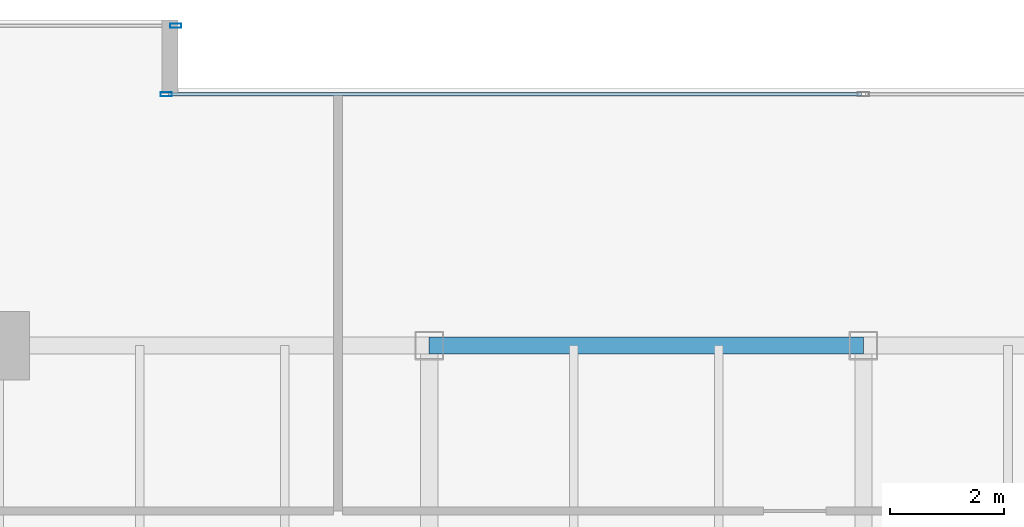
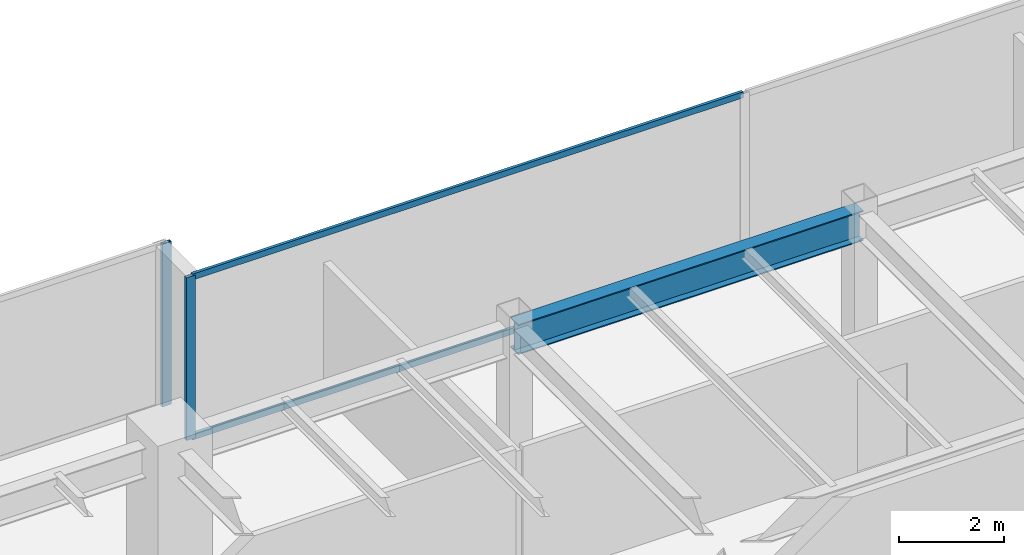
# One storey, part 16 of 31: 4 members, 1 beam, 2 elements without a shape of their own.
"""IFC4 building model written with IfcOpenShell, lengths in metres."""

from ifc_helpers import new_model, si_unit, direction, frame, origin, origin_2d, place, context, subcontext, project, spatial, hollow_rectangle, i_section, extrude, source, transform, mapped, material, layer, layer_set, material_profile, profile_set, type_object, type_shapes, element, aggregate, save


model = new_model("IFC4")

# Units and contexts
model_context = context("Model", 3, precision=1e-05, world=origin(), true_north=direction((0.0, 1.0)))
body_context = subcontext(model_context, "Body", "Model", "MODEL_VIEW")
ifc_project = project(units=[si_unit("LENGTHUNIT", "METRE"), si_unit("AREAUNIT", "SQUARE_METRE"), si_unit("VOLUMEUNIT", "CUBIC_METRE"), si_unit("PLANEANGLEUNIT", "RADIAN"), si_unit("MASSUNIT", "GRAM", prefix="KILO")], contexts=[model_context])

# Site, building, storey
site_placement = place(None, origin())
site = spatial("IfcSite", under=ifc_project, at=site_placement, CompositionType="ELEMENT")
building_placement = place(site_placement, origin())
building = spatial("IfcBuilding", under=site, at=building_placement, Name="Haelvirn Gate Laboratories", CompositionType="ELEMENT")
storey_placement = place(building_placement, frame((0.0, 0.0, 174.800048828125)))
storey = spatial("IfcBuildingStorey", under=building, at=storey_placement, Name="L42", CompositionType="ELEMENT", Elevation=174.800048828125)

# Beam
ifc_material_1 = material(Name="Steel SM355", Category="steel")
ifc_material_profile_1 = material_profile(ifc_material_1, i_section(OverallWidth=0.300048828125, OverallDepth=0.699951171875, WebThickness=0.012939453125, FlangeThickness=0.02392578125, at=origin_2d()), Name="H-700x300x13x24")
ifc_profile_set_1 = profile_set([ifc_material_profile_1], Name="Steel SM355")
beam_type = type_object("IfcBeamType", Name="BM-G-700", PredefinedType="BEAM", material=ifc_profile_set_1)
shared_shape_1 = source(origin(), body_context, "Body", "SweptSolid", [
    extrude(i_section(OverallWidth=0.300048828125, OverallDepth=0.699951171875, WebThickness=0.012939453125, FlangeThickness=0.02392578125, at=origin_2d()), origin(), (0.0, 0.0, 1.0), 7.599853515625),
])
type_shapes(beam_type, [shared_shape_1])
beam_placement = place(storey_placement, frame((29.800048828125, 41.60009765625, 3.43994140625), z_axis=(1.0, 0.0, 0.0), x_axis=(0.0, 1.0, 0.0)))
element("IfcBeam", 1, at=beam_placement, inside=storey, type_object=beam_type, Name="L42 Primary Girder Y41.6 (29.8-37.4)", PredefinedType="BEAM", context=body_context, shape_type="MappedRepresentation", body=[
    mapped(shared_shape_1, transform((0.0, 0.0, 0.0), scale=1.0)),
])

# Curtain wall, members
ifc_material_2 = material(Name="Anodised bronze unitised aluminium & triple low-E glass", Category="aluminium")
ifc_layer = layer(ifc_material_2, 0.179931640625, Name="CW-SYS-3")
ifc_layer_set = layer_set([ifc_layer], Name="Anodised bronze unitised aluminium & triple low-E glass")
curtain_wall_type = type_object("IfcCurtainWallType", Name="CW-SYS-3", PredefinedType="NOTDEFINED", material=ifc_layer_set)
curtain_wall_1_placement = place(storey_placement, origin())
curtain_wall_1 = element("IfcCurtainWall", 2, at=curtain_wall_1_placement, inside=storey, type_object=curtain_wall_type, Name="L42 Unitised Curtain Wall CW-L42-P0-E12-1", PredefinedType="NOTDEFINED")
ifc_material_3 = material(Name="Extruded aluminium 6063-T6 (anodised bronze)", Category="aluminium")
ifc_material_profile_2 = material_profile(ifc_material_3, hollow_rectangle(XDim=0.06494140625, YDim=0.139892578125, WallThickness=0.00390625, at=origin_2d()), Name="CWT-140x65x4")
ifc_profile_set_2 = profile_set([ifc_material_profile_2], Name="Extruded aluminium 6063-T6 (anodised bronze)")
member_type_1 = type_object("IfcMemberType", Name="CWT-T140", PredefinedType="USERDEFINED", material=ifc_profile_set_2)
shared_shape_2 = source(origin(), body_context, "Body", "SweptSolid", [
    extrude(hollow_rectangle(XDim=0.06494140625, YDim=0.139892578125, WallThickness=0.00390625, at=origin_2d()), origin(), (0.0, 0.0, 1.0), 12.12744140625),
])
type_shapes(member_type_1, [shared_shape_2])
member_1_placement = place(storey_placement, frame((25.235107421875, 46.0, 0.032470703125), z_axis=(1.0, 0.0, 0.0), x_axis=(0.0, 1.0, 0.0)))
member_1 = element("IfcMember", 3, at=member_1_placement, type_object=member_type_1, Name="CW3 transom 1.1", ObjectType="TRANSOM", PredefinedType="USERDEFINED", context=body_context, shape_type="MappedRepresentation", body=[
    mapped(shared_shape_2, transform((0.0, 0.0, 0.0), scale=1.0)),
])
member_2_placement = place(storey_placement, frame((25.235107421875, 46.0, 3.757568359375), z_axis=(1.0, 0.0, 0.0), x_axis=(0.0, 1.0, 0.0)))
member_2 = element("IfcMember", 4, at=member_2_placement, type_object=member_type_1, Name="CW3 transom 1.2", ObjectType="TRANSOM", PredefinedType="USERDEFINED", context=body_context, shape_type="MappedRepresentation", body=[
    mapped(shared_shape_2, transform((0.0, 0.0, 0.0), scale=1.0)),
])
ifc_material_profile_3 = material_profile(ifc_material_3, hollow_rectangle(XDim=0.074951171875, YDim=0.199951171875, WallThickness=0.0048828125, at=origin_2d()), Name="CWM-200x75x5")
ifc_profile_set_3 = profile_set([ifc_material_profile_3], Name="Extruded aluminium 6063-T6 (anodised bronze)")
member_type_2 = type_object("IfcMemberType", Name="CWM-T200", PredefinedType="MULLION", material=ifc_profile_set_3)
shared_shape_3 = source(origin(), body_context, "Body", "SweptSolid", [
    extrude(hollow_rectangle(XDim=0.074951171875, YDim=0.199951171875, WallThickness=0.0048828125, at=origin_2d()), origin(), (0.0, 0.0, 1.0), 3.7900390625),
])
type_shapes(member_type_2, [shared_shape_3])
member_3_placement = place(storey_placement, frame((25.197509765625, 46.0, 0.0), z_axis=(0.0, 0.0, 1.0), x_axis=(0.0, 1.0, 0.0)))
member_3 = element("IfcMember", 5, at=member_3_placement, type_object=member_type_2, Name="CW3 mullion 1", PredefinedType="MULLION", context=body_context, shape_type="MappedRepresentation", body=[
    mapped(shared_shape_3, transform((0.0, 0.0, 0.0), scale=1.0)),
])
aggregate(curtain_wall_1, [member_3, member_1, member_2])

# Curtain wall, member
curtain_wall_2_placement = place(storey_placement, origin())
curtain_wall_2 = element("IfcCurtainWall", 6, at=curtain_wall_2_placement, inside=storey, type_object=curtain_wall_type, Name="L42 Unitised Curtain Wall CW-L42-P0-E14-1", PredefinedType="NOTDEFINED")
member_4_placement = place(storey_placement, frame((25.362548828125, 47.199951171875, 0.0), z_axis=(0.0, 0.0, 1.0), x_axis=(0.0, 1.0, 0.0)))
member_4 = element("IfcMember", 7, at=member_4_placement, type_object=member_type_2, Name="CW3 mullion 3", PredefinedType="MULLION", context=body_context, shape_type="MappedRepresentation", body=[
    mapped(shared_shape_3, transform((0.0, 0.0, 0.0), scale=1.0)),
])
aggregate(curtain_wall_2, [member_4])

save(model, "model.ifc")
